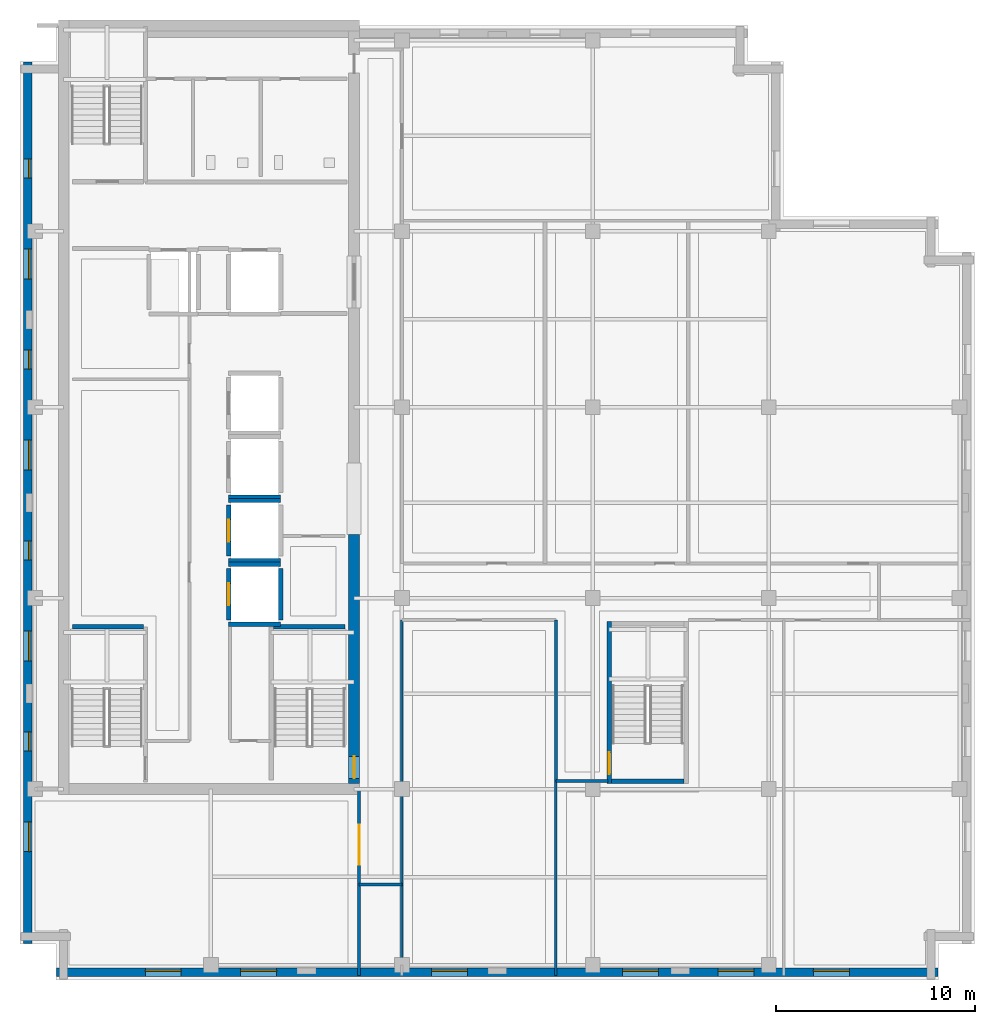
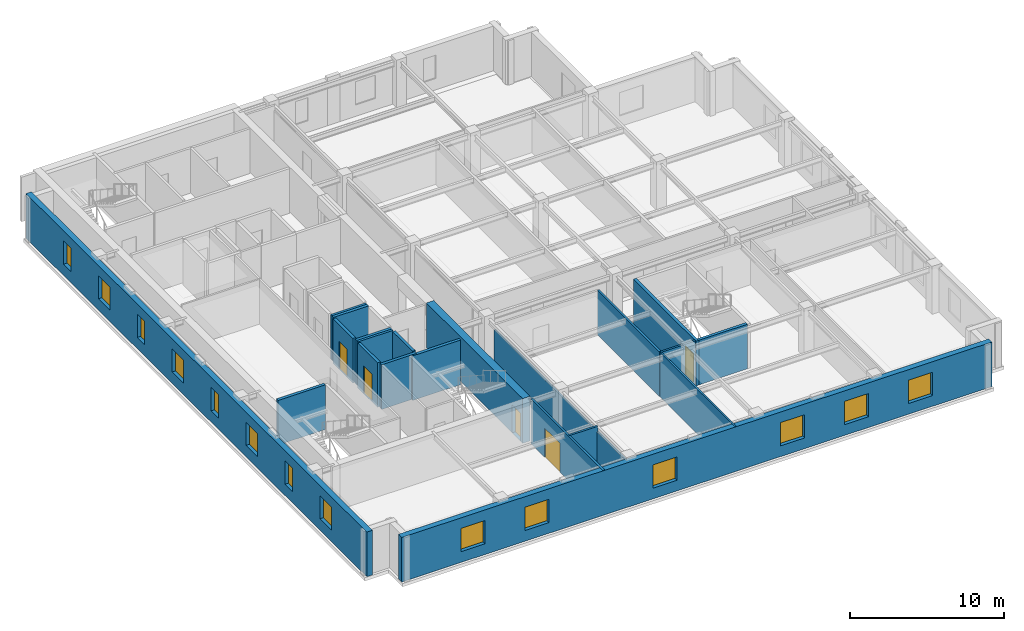
# One storey, part 3 of 10: 21 walls, 14 windows, 5 doors, 19 openings.
"""IFC4 building model written with IfcOpenShell, lengths in metres."""

from ifc_helpers import new_model, si_unit, direction, frame, frame_2d, origin, place, context, subcontext, project, spatial, rectangle, extrude, material, layer, layer_set, type_object, element, fill, save


model = new_model("IFC4")

# Units and contexts
model_context = context("Model", 3, precision=1e-05, world=origin(), true_north=direction((0.0, 1.0)))
body_context = subcontext(model_context, "Body", "Model", "MODEL_VIEW")
ifc_project = project(units=[si_unit("LENGTHUNIT", "METRE"), si_unit("AREAUNIT", "SQUARE_METRE"), si_unit("VOLUMEUNIT", "CUBIC_METRE"), si_unit("PLANEANGLEUNIT", "RADIAN"), si_unit("MASSUNIT", "GRAM", prefix="KILO")], contexts=[model_context])

# Site, building, storey
site_placement = place(None, origin())
site = spatial("IfcSite", under=ifc_project, at=site_placement, CompositionType="ELEMENT")
building_placement = place(site_placement, origin())
building = spatial("IfcBuilding", under=site, at=building_placement, Name="Norrvale University Quadrangle", CompositionType="ELEMENT")
storey_placement = place(building_placement, frame((0.0, 0.0, 265.800048828125)))
storey = spatial("IfcBuildingStorey", under=building, at=storey_placement, Name="L67", CompositionType="ELEMENT", Elevation=265.800048828125)

# Wall, openings, windows
ifc_material_1 = material(Name="Buff Norman Clay Brick Masonry", Category="masonry")
ifc_layer_1 = layer(ifc_material_1, 0.419921875, Name="Buff Norman Clay Brick Masonry")
ifc_layer_set_1 = layer_set([ifc_layer_1], Name="Buff Norman Clay Brick Masonry")
wall_type_1 = type_object("IfcWallType", Name="Wall Buff Brick 420", PredefinedType="SOLIDWALL", material=ifc_layer_set_1)
wall_1_placement = place(storey_placement, frame((1.840087890625, 0.389892578125, 0.0), z_axis=(0.0, 0.0, 1.0), x_axis=(1.0, 0.0, 0.0)))
wall_1 = element("IfcWall", 1, at=wall_1_placement, inside=storey, type_object=wall_type_1, Name="Exterior Brick Facade Wall L67-01.1", PredefinedType="SOLIDWALL", context=body_context, shape_type="SweptSolid", body=[
    extrude(rectangle(XDim=44.31982421875, YDim=0.419921875, at=frame_2d((22.159912109375, 0.0))), origin(), (0.0, 0.0, 1.0), 3.5400390625),
])
opening_1_placement = place(wall_1_placement, frame((4.4599609375, 0.0, 0.85009765625)))
opening_1 = element("IfcOpeningElement", 2, at=opening_1_placement, cuts=wall_1, Name="Opening W01", PredefinedType="OPENING", context=body_context, shape_type="SweptSolid", body=[
    extrude(rectangle(XDim=1.800048828125, YDim=1.85009765625, at=frame_2d((0.89990234375, 0.925048828125))), frame((0.0, 0.221923828125, 0.0), z_axis=(0.0, -1.0, 0.0), x_axis=(1.0, 0.0, 0.0)), (0.0, 0.0, 1.0), 0.44384765625),
])
opening_2_placement = place(wall_1_placement, frame((9.260009765625, 0.0, 0.85009765625)))
opening_2 = element("IfcOpeningElement", 3, at=opening_2_placement, cuts=wall_1, Name="Opening W01", PredefinedType="OPENING", context=body_context, shape_type="SweptSolid", body=[
    extrude(rectangle(XDim=1.800048828125, YDim=1.85009765625, at=frame_2d((0.89990234375, 0.925048828125))), frame((0.0, 0.221923828125, 0.0), z_axis=(0.0, -1.0, 0.0), x_axis=(1.0, 0.0, 0.0)), (0.0, 0.0, 1.0), 0.44384765625),
])
opening_3_placement = place(wall_1_placement, frame((18.860107421875, 0.0, 0.85009765625)))
opening_3 = element("IfcOpeningElement", 4, at=opening_3_placement, cuts=wall_1, Name="Opening W01", PredefinedType="OPENING", context=body_context, shape_type="SweptSolid", body=[
    extrude(rectangle(XDim=1.800048828125, YDim=1.85009765625, at=frame_2d((0.89990234375, 0.925048828125))), frame((0.0, 0.221923828125, 0.0), z_axis=(0.0, -1.0, 0.0), x_axis=(1.0, 0.0, 0.0)), (0.0, 0.0, 1.0), 0.44384765625),
])
opening_4_placement = place(wall_1_placement, frame((28.4599609375, 0.0, 0.85009765625)))
opening_4 = element("IfcOpeningElement", 5, at=opening_4_placement, cuts=wall_1, Name="Opening W01", PredefinedType="OPENING", context=body_context, shape_type="SweptSolid", body=[
    extrude(rectangle(XDim=1.800048828125, YDim=1.85009765625, at=frame_2d((0.89990234375, 0.925048828125))), frame((0.0, 0.221923828125, 0.0), z_axis=(0.0, -1.0, 0.0), x_axis=(1.0, 0.0, 0.0)), (0.0, 0.0, 1.0), 0.44384765625),
])
opening_5_placement = place(wall_1_placement, frame((33.260009765625, 0.0, 0.85009765625)))
opening_5 = element("IfcOpeningElement", 6, at=opening_5_placement, cuts=wall_1, Name="Opening W01", PredefinedType="OPENING", context=body_context, shape_type="SweptSolid", body=[
    extrude(rectangle(XDim=1.800048828125, YDim=1.85009765625, at=frame_2d((0.89990234375, 0.925048828125))), frame((0.0, 0.221923828125, 0.0), z_axis=(0.0, -1.0, 0.0), x_axis=(1.0, 0.0, 0.0)), (0.0, 0.0, 1.0), 0.44384765625),
])
opening_6_placement = place(wall_1_placement, frame((38.06005859375, 0.0, 0.85009765625)))
opening_6 = element("IfcOpeningElement", 7, at=opening_6_placement, cuts=wall_1, Name="Opening W01", PredefinedType="OPENING", context=body_context, shape_type="SweptSolid", body=[
    extrude(rectangle(XDim=1.800048828125, YDim=1.85009765625, at=frame_2d((0.89990234375, 0.925048828125))), frame((0.0, 0.221923828125, 0.0), z_axis=(0.0, -1.0, 0.0), x_axis=(1.0, 0.0, 0.0)), (0.0, 0.0, 1.0), 0.44384765625),
])
ifc_material_2 = material(Name="Triple Low-E Argon Glazing", Category="glass")
window_type_1 = type_object("IfcWindowType", Name="Window Academic 1800x2300", PartitioningType="DOUBLE_PANEL_VERTICAL", PredefinedType="WINDOW", material=ifc_material_2)
window_1_placement = place(opening_1_placement, origin())
window_1 = element("IfcWindow", 8, at=window_1_placement, inside=storey, type_object=window_type_1, Name="Window Academic 1800x2300 WIN-L67-E01-1-01", OverallHeight=1.85009765625, OverallWidth=1.800048828125, PartitioningType="DOUBLE_PANEL_VERTICAL", PredefinedType="WINDOW", context=body_context, shape_type="SweptSolid", body=[
    extrude(rectangle(XDim=1.800048828125, YDim=1.85009765625, at=frame_2d((0.89990234375, 0.925048828125))), frame((0.0, 0.110107421875, 0.0), z_axis=(0.0, -1.0, 0.0), x_axis=(1.0, 0.0, 0.0)), (0.0, 0.0, 1.0), 0.06005859375),
])
fill(opening_1, window_1)
window_2_placement = place(opening_2_placement, origin())
window_2 = element("IfcWindow", 9, at=window_2_placement, inside=storey, type_object=window_type_1, Name="Window Academic 1800x2300 WIN-L67-E01-1-02", OverallHeight=1.85009765625, OverallWidth=1.800048828125, PartitioningType="DOUBLE_PANEL_VERTICAL", PredefinedType="WINDOW", context=body_context, shape_type="SweptSolid", body=[
    extrude(rectangle(XDim=1.800048828125, YDim=1.85009765625, at=frame_2d((0.89990234375, 0.925048828125))), frame((0.0, 0.110107421875, 0.0), z_axis=(0.0, -1.0, 0.0), x_axis=(1.0, 0.0, 0.0)), (0.0, 0.0, 1.0), 0.06005859375),
])
fill(opening_2, window_2)
window_3_placement = place(opening_3_placement, origin())
window_3 = element("IfcWindow", 10, at=window_3_placement, inside=storey, type_object=window_type_1, Name="Window Academic 1800x2300 WIN-L67-E01-1-03", OverallHeight=1.85009765625, OverallWidth=1.800048828125, PartitioningType="DOUBLE_PANEL_VERTICAL", PredefinedType="WINDOW", context=body_context, shape_type="SweptSolid", body=[
    extrude(rectangle(XDim=1.800048828125, YDim=1.85009765625, at=frame_2d((0.89990234375, 0.925048828125))), frame((0.0, 0.110107421875, 0.0), z_axis=(0.0, -1.0, 0.0), x_axis=(1.0, 0.0, 0.0)), (0.0, 0.0, 1.0), 0.06005859375),
])
fill(opening_3, window_3)
window_4_placement = place(opening_4_placement, origin())
window_4 = element("IfcWindow", 11, at=window_4_placement, inside=storey, type_object=window_type_1, Name="Window Academic 1800x2300 WIN-L67-E01-1-04", OverallHeight=1.85009765625, OverallWidth=1.800048828125, PartitioningType="DOUBLE_PANEL_VERTICAL", PredefinedType="WINDOW", context=body_context, shape_type="SweptSolid", body=[
    extrude(rectangle(XDim=1.800048828125, YDim=1.85009765625, at=frame_2d((0.89990234375, 0.925048828125))), frame((0.0, 0.110107421875, 0.0), z_axis=(0.0, -1.0, 0.0), x_axis=(1.0, 0.0, 0.0)), (0.0, 0.0, 1.0), 0.06005859375),
])
fill(opening_4, window_4)
window_5_placement = place(opening_5_placement, origin())
window_5 = element("IfcWindow", 12, at=window_5_placement, inside=storey, type_object=window_type_1, Name="Window Academic 1800x2300 WIN-L67-E01-1-05", OverallHeight=1.85009765625, OverallWidth=1.800048828125, PartitioningType="DOUBLE_PANEL_VERTICAL", PredefinedType="WINDOW", context=body_context, shape_type="SweptSolid", body=[
    extrude(rectangle(XDim=1.800048828125, YDim=1.85009765625, at=frame_2d((0.89990234375, 0.925048828125))), frame((0.0, 0.110107421875, 0.0), z_axis=(0.0, -1.0, 0.0), x_axis=(1.0, 0.0, 0.0)), (0.0, 0.0, 1.0), 0.06005859375),
])
fill(opening_5, window_5)
window_6_placement = place(opening_6_placement, origin())
window_6 = element("IfcWindow", 13, at=window_6_placement, inside=storey, type_object=window_type_1, Name="Window Academic 1800x2300 WIN-L67-E01-1-06", OverallHeight=1.85009765625, OverallWidth=1.800048828125, PartitioningType="DOUBLE_PANEL_VERTICAL", PredefinedType="WINDOW", context=body_context, shape_type="SweptSolid", body=[
    extrude(rectangle(XDim=1.800048828125, YDim=1.85009765625, at=frame_2d((0.89990234375, 0.925048828125))), frame((0.0, 0.110107421875, 0.0), z_axis=(0.0, -1.0, 0.0), x_axis=(1.0, 0.0, 0.0)), (0.0, 0.0, 1.0), 0.06005859375),
])
fill(opening_6, window_6)

wall_2_placement = place(storey_placement, frame((0.389892578125, 46.159912109375, 0.0), z_axis=(0.0, 0.0, 1.0), x_axis=(0.0, -1.0, 0.0)))
wall_2 = element("IfcWall", 14, at=wall_2_placement, inside=storey, type_object=wall_type_1, Name="Exterior Brick Facade Wall L67-14.1", PredefinedType="SOLIDWALL", context=body_context, shape_type="SweptSolid", body=[
    extrude(rectangle(XDim=44.31982421875, YDim=0.419921875, at=frame_2d((22.159912109375, 0.0))), origin(), (0.0, 0.0, 1.0), 3.5400390625),
])
opening_7_placement = place(wall_2_placement, frame((4.885009765625, 0.0, 0.89990234375)))
opening_7 = element("IfcOpeningElement", 15, at=opening_7_placement, cuts=wall_2, Name="Opening W04", PredefinedType="OPENING", context=body_context, shape_type="SweptSolid", body=[
    extrude(rectangle(XDim=0.949951171875, YDim=1.85009765625, at=frame_2d((0.47509765625, 0.925048828125))), frame((0.0, 0.221923828125, 0.0), z_axis=(0.0, -1.0, 0.0), x_axis=(1.0, 0.0, 0.0)), (0.0, 0.0, 1.0), 0.44384765625),
])
opening_8_placement = place(wall_2_placement, frame((9.409912109375, 0.0, 0.89990234375)))
opening_8 = element("IfcOpeningElement", 16, at=opening_8_placement, cuts=wall_2, Name="Opening W03", PredefinedType="OPENING", context=body_context, shape_type="SweptSolid", body=[
    extrude(rectangle(XDim=1.5, YDim=1.85009765625, at=frame_2d((0.75, 0.925048828125))), frame((0.0, 0.221923828125, 0.0), z_axis=(0.0, -1.0, 0.0), x_axis=(1.0, 0.0, 0.0)), (0.0, 0.0, 1.0), 0.44384765625),
])
opening_9_placement = place(wall_2_placement, frame((14.485107421875, 0.0, 0.89990234375)))
opening_9 = element("IfcOpeningElement", 17, at=opening_9_placement, cuts=wall_2, Name="Opening W04", PredefinedType="OPENING", context=body_context, shape_type="SweptSolid", body=[
    extrude(rectangle(XDim=0.949951171875, YDim=1.85009765625, at=frame_2d((0.47509765625, 0.925048828125))), frame((0.0, 0.221923828125, 0.0), z_axis=(0.0, -1.0, 0.0), x_axis=(1.0, 0.0, 0.0)), (0.0, 0.0, 1.0), 0.44384765625),
])
opening_10_placement = place(wall_2_placement, frame((19.010009765625, 0.0, 0.89990234375)))
opening_10 = element("IfcOpeningElement", 18, at=opening_10_placement, cuts=wall_2, Name="Opening W03", PredefinedType="OPENING", context=body_context, shape_type="SweptSolid", body=[
    extrude(rectangle(XDim=1.5, YDim=1.85009765625, at=frame_2d((0.75, 0.925048828125))), frame((0.0, 0.221923828125, 0.0), z_axis=(0.0, -1.0, 0.0), x_axis=(1.0, 0.0, 0.0)), (0.0, 0.0, 1.0), 0.44384765625),
])
opening_11_placement = place(wall_2_placement, frame((24.0849609375, 0.0, 0.89990234375)))
opening_11 = element("IfcOpeningElement", 19, at=opening_11_placement, cuts=wall_2, Name="Opening W04", PredefinedType="OPENING", context=body_context, shape_type="SweptSolid", body=[
    extrude(rectangle(XDim=0.949951171875, YDim=1.85009765625, at=frame_2d((0.47509765625, 0.925048828125))), frame((0.0, 0.221923828125, 0.0), z_axis=(0.0, -1.0, 0.0), x_axis=(1.0, 0.0, 0.0)), (0.0, 0.0, 1.0), 0.44384765625),
])
opening_12_placement = place(wall_2_placement, frame((28.610107421875, 0.0, 0.89990234375)))
opening_12 = element("IfcOpeningElement", 20, at=opening_12_placement, cuts=wall_2, Name="Opening W03", PredefinedType="OPENING", context=body_context, shape_type="SweptSolid", body=[
    extrude(rectangle(XDim=1.5, YDim=1.85009765625, at=frame_2d((0.75, 0.925048828125))), frame((0.0, 0.221923828125, 0.0), z_axis=(0.0, -1.0, 0.0), x_axis=(1.0, 0.0, 0.0)), (0.0, 0.0, 1.0), 0.44384765625),
])
opening_13_placement = place(wall_2_placement, frame((33.68505859375, 0.0, 0.89990234375)))
opening_13 = element("IfcOpeningElement", 21, at=opening_13_placement, cuts=wall_2, Name="Opening W04", PredefinedType="OPENING", context=body_context, shape_type="SweptSolid", body=[
    extrude(rectangle(XDim=0.949951171875, YDim=1.85009765625, at=frame_2d((0.47509765625, 0.925048828125))), frame((0.0, 0.221923828125, 0.0), z_axis=(0.0, -1.0, 0.0), x_axis=(1.0, 0.0, 0.0)), (0.0, 0.0, 1.0), 0.44384765625),
])
opening_14_placement = place(wall_2_placement, frame((38.2099609375, 0.0, 0.89990234375)))
opening_14 = element("IfcOpeningElement", 22, at=opening_14_placement, cuts=wall_2, Name="Opening W03", PredefinedType="OPENING", context=body_context, shape_type="SweptSolid", body=[
    extrude(rectangle(XDim=1.5, YDim=1.85009765625, at=frame_2d((0.75, 0.925048828125))), frame((0.0, 0.221923828125, 0.0), z_axis=(0.0, -1.0, 0.0), x_axis=(1.0, 0.0, 0.0)), (0.0, 0.0, 1.0), 0.44384765625),
])
window_type_2 = type_object("IfcWindowType", Name="Window Narrow Pier 950x2300", PartitioningType="SINGLE_PANEL", PredefinedType="WINDOW", material=ifc_material_2)
window_7_placement = place(opening_7_placement, origin())
window_7 = element("IfcWindow", 23, at=window_7_placement, inside=storey, type_object=window_type_2, Name="Window Narrow Pier 950x2300 WIN-L67-E14-1-01", OverallHeight=1.85009765625, OverallWidth=0.949951171875, PartitioningType="SINGLE_PANEL", PredefinedType="WINDOW", context=body_context, shape_type="SweptSolid", body=[
    extrude(rectangle(XDim=0.949951171875, YDim=1.85009765625, at=frame_2d((0.47509765625, 0.925048828125))), frame((0.0, 0.110107421875, 0.0), z_axis=(0.0, -1.0, 0.0), x_axis=(1.0, 0.0, 0.0)), (0.0, 0.0, 1.0), 0.06005859375),
])
fill(opening_7, window_7)
window_8_placement = place(opening_9_placement, origin())
window_8 = element("IfcWindow", 24, at=window_8_placement, inside=storey, type_object=window_type_2, Name="Window Narrow Pier 950x2300 WIN-L67-E14-1-03", OverallHeight=1.85009765625, OverallWidth=0.949951171875, PartitioningType="SINGLE_PANEL", PredefinedType="WINDOW", context=body_context, shape_type="SweptSolid", body=[
    extrude(rectangle(XDim=0.949951171875, YDim=1.85009765625, at=frame_2d((0.47509765625, 0.925048828125))), frame((0.0, 0.110107421875, 0.0), z_axis=(0.0, -1.0, 0.0), x_axis=(1.0, 0.0, 0.0)), (0.0, 0.0, 1.0), 0.06005859375),
])
fill(opening_9, window_8)
window_9_placement = place(opening_11_placement, origin())
window_9 = element("IfcWindow", 25, at=window_9_placement, inside=storey, type_object=window_type_2, Name="Window Narrow Pier 950x2300 WIN-L67-E14-1-05", OverallHeight=1.85009765625, OverallWidth=0.949951171875, PartitioningType="SINGLE_PANEL", PredefinedType="WINDOW", context=body_context, shape_type="SweptSolid", body=[
    extrude(rectangle(XDim=0.949951171875, YDim=1.85009765625, at=frame_2d((0.47509765625, 0.925048828125))), frame((0.0, 0.110107421875, 0.0), z_axis=(0.0, -1.0, 0.0), x_axis=(1.0, 0.0, 0.0)), (0.0, 0.0, 1.0), 0.06005859375),
])
fill(opening_11, window_9)
window_10_placement = place(opening_13_placement, origin())
window_10 = element("IfcWindow", 26, at=window_10_placement, inside=storey, type_object=window_type_2, Name="Window Narrow Pier 950x2300 WIN-L67-E14-1-07", OverallHeight=1.85009765625, OverallWidth=0.949951171875, PartitioningType="SINGLE_PANEL", PredefinedType="WINDOW", context=body_context, shape_type="SweptSolid", body=[
    extrude(rectangle(XDim=0.949951171875, YDim=1.85009765625, at=frame_2d((0.47509765625, 0.925048828125))), frame((0.0, 0.110107421875, 0.0), z_axis=(0.0, -1.0, 0.0), x_axis=(1.0, 0.0, 0.0)), (0.0, 0.0, 1.0), 0.06005859375),
])
fill(opening_13, window_10)
window_type_3 = type_object("IfcWindowType", Name="Window Studio 1500x2300", PartitioningType="DOUBLE_PANEL_VERTICAL", PredefinedType="WINDOW", material=ifc_material_2)
window_11_placement = place(opening_8_placement, origin())
window_11 = element("IfcWindow", 27, at=window_11_placement, inside=storey, type_object=window_type_3, Name="Window Studio 1500x2300 WIN-L67-E14-1-02", OverallHeight=1.85009765625, OverallWidth=1.5, PartitioningType="DOUBLE_PANEL_VERTICAL", PredefinedType="WINDOW", context=body_context, shape_type="SweptSolid", body=[
    extrude(rectangle(XDim=1.5, YDim=1.85009765625, at=frame_2d((0.75, 0.925048828125))), frame((0.0, 0.110107421875, 0.0), z_axis=(0.0, -1.0, 0.0), x_axis=(1.0, 0.0, 0.0)), (0.0, 0.0, 1.0), 0.06005859375),
])
fill(opening_8, window_11)
window_12_placement = place(opening_10_placement, origin())
window_12 = element("IfcWindow", 28, at=window_12_placement, inside=storey, type_object=window_type_3, Name="Window Studio 1500x2300 WIN-L67-E14-1-04", OverallHeight=1.85009765625, OverallWidth=1.5, PartitioningType="DOUBLE_PANEL_VERTICAL", PredefinedType="WINDOW", context=body_context, shape_type="SweptSolid", body=[
    extrude(rectangle(XDim=1.5, YDim=1.85009765625, at=frame_2d((0.75, 0.925048828125))), frame((0.0, 0.110107421875, 0.0), z_axis=(0.0, -1.0, 0.0), x_axis=(1.0, 0.0, 0.0)), (0.0, 0.0, 1.0), 0.06005859375),
])
fill(opening_10, window_12)
window_13_placement = place(opening_12_placement, origin())
window_13 = element("IfcWindow", 29, at=window_13_placement, inside=storey, type_object=window_type_3, Name="Window Studio 1500x2300 WIN-L67-E14-1-06", OverallHeight=1.85009765625, OverallWidth=1.5, PartitioningType="DOUBLE_PANEL_VERTICAL", PredefinedType="WINDOW", context=body_context, shape_type="SweptSolid", body=[
    extrude(rectangle(XDim=1.5, YDim=1.85009765625, at=frame_2d((0.75, 0.925048828125))), frame((0.0, 0.110107421875, 0.0), z_axis=(0.0, -1.0, 0.0), x_axis=(1.0, 0.0, 0.0)), (0.0, 0.0, 1.0), 0.06005859375),
])
fill(opening_12, window_13)
window_14_placement = place(opening_14_placement, origin())
window_14 = element("IfcWindow", 30, at=window_14_placement, inside=storey, type_object=window_type_3, Name="Window Studio 1500x2300 WIN-L67-E14-1-08", OverallHeight=1.85009765625, OverallWidth=1.5, PartitioningType="DOUBLE_PANEL_VERTICAL", PredefinedType="WINDOW", context=body_context, shape_type="SweptSolid", body=[
    extrude(rectangle(XDim=1.5, YDim=1.85009765625, at=frame_2d((0.75, 0.925048828125))), frame((0.0, 0.110107421875, 0.0), z_axis=(0.0, -1.0, 0.0), x_axis=(1.0, 0.0, 0.0)), (0.0, 0.0, 1.0), 0.06005859375),
])
fill(opening_14, window_14)

# Wall, opening, door
ifc_material_3 = material(Name="Concrete C60/75", Category="concrete")
ifc_layer_2 = layer(ifc_material_3, 0.550048828125, Name="Concrete C60/75")
ifc_layer_set_2 = layer_set([ifc_layer_2], Name="Concrete C60/75")
wall_type_2 = type_object("IfcWallType", Name="Wall Core 550", PredefinedType="SHEAR", material=ifc_layer_set_2)
wall_3_placement = place(storey_placement, frame((16.800048828125, 9.875, 0.0), z_axis=(0.0, 0.0, 1.0), x_axis=(0.0, 1.0, 0.0)))
wall_3 = element("IfcWall", 31, at=wall_3_placement, inside=storey, type_object=wall_type_2, Name="Tower Core Shear Wall L67-E1", PredefinedType="SHEAR", context=body_context, shape_type="SweptSolid", body=[
    extrude(rectangle(XDim=12.52490234375, YDim=0.550048828125, at=frame_2d((6.262451171875, 0.0))), origin(), (0.0, 0.0, 1.0), 3.5400390625),
])
opening_15_placement = place(wall_3_placement, frame((0.264892578125, 0.0, 0.0)))
opening_15 = element("IfcOpeningElement", 32, at=opening_15_placement, cuts=wall_3, Name="Opening D02", PredefinedType="OPENING", context=body_context, shape_type="SweptSolid", body=[
    extrude(rectangle(XDim=1.10009765625, YDim=2.199951171875, at=frame_2d((0.550048828125, 1.10009765625))), frame((0.0, 0.287109375, 0.0), z_axis=(0.0, -1.0, 0.0), x_axis=(1.0, 0.0, 0.0)), (0.0, 0.0, 1.0), 0.573974609375),
])
ifc_material_4 = material(Name="Hollow Steel 350W Fire Door", Category="steel")
door_type_1 = type_object("IfcDoorType", Name="Door Stair Exit 1100x2200", OperationType="NOTDEFINED", PredefinedType="DOOR", material=ifc_material_4)
door_1_placement = place(opening_15_placement, origin())
door_1 = element("IfcDoor", 33, at=door_1_placement, inside=storey, type_object=door_type_1, Name="Door Stair Exit 1100x2200 DR-L67-ST03", OperationType="SINGLE_SWING_LEFT", OverallHeight=2.199951171875, OverallWidth=1.10009765625, PredefinedType="DOOR", context=body_context, shape_type="SweptSolid", body=[
    extrude(rectangle(XDim=1.10009765625, YDim=2.199951171875, at=frame_2d((0.550048828125, 1.10009765625))), frame((0.0, 0.02490234375, 0.0), z_axis=(0.0, -1.0, 0.0), x_axis=(1.0, 0.0, 0.0)), (0.0, 0.0, 1.0), 0.050048828125),
])
fill(opening_15, door_1)

# Walls
ifc_material_5 = material(Name="Standard Academic Gypsum Partition")
ifc_layer_3 = layer(ifc_material_5, 0.125, Name="Standard Academic Gypsum Partition")
ifc_layer_set_3 = layer_set([ifc_layer_3], Name="Standard Academic Gypsum Partition")
wall_type_3 = type_object("IfcWallType", Name="Wall Gypsum Academic 125", PredefinedType="PARTITIONING", material=ifc_layer_set_3)
wall_4_placement = place(storey_placement, frame((19.199951171875, 0.75, 0.0), z_axis=(0.0, 0.0, 1.0), x_axis=(0.0, 1.0, 0.0)))
element("IfcWall", 34, at=wall_4_placement, inside=storey, type_object=wall_type_3, Name="Interior Partition WL-L67-SE-W0-B2", PredefinedType="PARTITIONING", context=body_context, shape_type="SweptSolid", body=[
    extrude(rectangle(XDim=17.35009765625, YDim=0.125, at=frame_2d((8.675048828125, 0.0))), origin(), (0.0, 0.0, 1.0), 3.123046875),
])
wall_5_placement = place(storey_placement, frame((26.949951171875, 0.219970703125, 0.0), z_axis=(0.0, 0.0, 1.0), x_axis=(0.0, 1.0, 0.0)))
element("IfcWall", 35, at=wall_5_placement, inside=storey, type_object=wall_type_3, Name="Interior Partition WL-L67-SEP1A", PredefinedType="PARTITIONING", context=body_context, shape_type="SweptSolid", body=[
    extrude(rectangle(XDim=9.780029296875, YDim=0.125, at=frame_2d((4.89013671875, 0.0))), origin(), (0.0, 0.0, 1.0), 3.5400390625),
])
ifc_material_6 = material(Name="Fire-Rated Gypsum Stud Partition")
ifc_layer_4 = layer(ifc_material_6, 0.14990234375, Name="Fire-Rated Gypsum Stud Partition")
ifc_layer_set_4 = layer_set([ifc_layer_4], Name="Fire-Rated Gypsum Stud Partition")
wall_type_4 = type_object("IfcWallType", Name="Wall Gypsum Corridor 150", PredefinedType="PARTITIONING", material=ifc_layer_set_4)
wall_6_placement = place(storey_placement, frame((17.050048828125, 4.800048828125, 0.0), z_axis=(0.0, 0.0, 1.0), x_axis=(1.0, 0.0, 0.0)))
element("IfcWall", 36, at=wall_6_placement, inside=storey, type_object=wall_type_4, Name="Interior Partition WL-L67-CSP-S", PredefinedType="PARTITIONING", context=body_context, shape_type="SweptSolid", body=[
    extrude(rectangle(XDim=2.14990234375, YDim=0.14990234375, at=frame_2d((1.074951171875, 0.0))), origin(), (0.0, 0.0, 1.0), 3.5400390625),
])

# Wall, opening, door
wall_7_placement = place(storey_placement, frame((17.050048828125, 0.219970703125, 0.0), z_axis=(0.0, 0.0, 1.0), x_axis=(0.0, 1.0, 0.0)))
wall_7 = element("IfcWall", 37, at=wall_7_placement, inside=storey, type_object=wall_type_4, Name="Interior Partition WL-L67-SW-E", PredefinedType="PARTITIONING", context=body_context, shape_type="SweptSolid", body=[
    extrude(rectangle(XDim=9.380126953125, YDim=0.14990234375, at=frame_2d((4.68994140625, 0.0))), origin(), (0.0, 0.0, 1.0), 3.5400390625),
])
opening_16_placement = place(wall_7_placement, frame((5.580078125, 0.0, 0.0)))
opening_16 = element("IfcOpeningElement", 38, at=opening_16_placement, cuts=wall_7, Name="Opening D06", PredefinedType="OPENING", context=body_context, shape_type="SweptSolid", body=[
    extrude(rectangle(XDim=2.0, YDim=2.300048828125, at=frame_2d((1.0, 1.14990234375))), frame((0.0, 0.0869140625, 0.0), z_axis=(0.0, -1.0, 0.0), x_axis=(1.0, 0.0, 0.0)), (0.0, 0.0, 1.0), 0.173828125),
])
ifc_material_7 = material(Name="Acoustic Oak Double Door", Category="wood")
door_type_2 = type_object("IfcDoorType", Name="Door Lecture Dbl 2000x2300", OperationType="DOUBLE_SWING_LEFT", PredefinedType="DOOR", material=ifc_material_7)
door_2_placement = place(opening_16_placement, origin())
door_2 = element("IfcDoor", 39, at=door_2_placement, inside=storey, type_object=door_type_2, Name="Door Lecture Dbl 2000x2300 DR-L67-SW1", OperationType="DOUBLE_SWING_LEFT", OverallHeight=2.300048828125, OverallWidth=2.0, PredefinedType="DOOR", context=body_context, shape_type="SweptSolid", body=[
    extrude(rectangle(XDim=2.0, YDim=2.300048828125, at=frame_2d((1.0, 1.14990234375))), frame((0.0, 0.02490234375, 0.0), z_axis=(0.0, -1.0, 0.0), x_axis=(1.0, 0.0, 0.0)), (0.0, 0.0, 1.0), 0.050048828125),
])
fill(opening_16, door_2)

# Walls
wall_8_placement = place(storey_placement, frame((26.949951171875, 10.0, 0.0), z_axis=(0.0, 0.0, 1.0), x_axis=(0.0, 1.0, 0.0)))
element("IfcWall", 40, at=wall_8_placement, inside=storey, type_object=wall_type_4, Name="Interior Partition WL-L67-SEP1B", PredefinedType="PARTITIONING", context=body_context, shape_type="SweptSolid", body=[
    extrude(rectangle(XDim=8.10009765625, YDim=0.14990234375, at=frame_2d((4.050048828125, 0.0))), origin(), (0.0, 0.0, 1.0), 3.5400390625),
])
wall_9_placement = place(storey_placement, frame((26.949951171875, 10.0, 0.0), z_axis=(0.0, 0.0, 1.0), x_axis=(1.0, 0.0, 0.0)))
element("IfcWall", 41, at=wall_9_placement, inside=storey, type_object=wall_type_4, Name="Interior Partition WL-L67-SEP1C", PredefinedType="PARTITIONING", context=body_context, shape_type="SweptSolid", body=[
    extrude(rectangle(XDim=2.630126953125, YDim=0.14990234375, at=frame_2d((1.31494140625, 0.0))), origin(), (0.0, 0.0, 1.0), 3.5400390625),
])
ifc_material_8 = material(Name="Concrete Blockwork 20 MPa Fire Shaft", Category="masonry")
ifc_layer_5 = layer(ifc_material_8, 0.219970703125, Name="Concrete Blockwork 20 MPa Fire Shaft")
ifc_layer_set_5 = layer_set([ifc_layer_5], Name="Concrete Blockwork 20 MPa Fire Shaft")
wall_type_5 = type_object("IfcWallType", Name="Wall Shaft 220", PredefinedType="SOLIDWALL", material=ifc_layer_set_5)
wall_10_placement = place(storey_placement, frame((2.64990234375, 17.760009765625, 0.0), z_axis=(0.0, 0.0, 1.0), x_axis=(1.0, 0.0, 0.0)))
element("IfcWall", 42, at=wall_10_placement, inside=storey, type_object=wall_type_5, Name="Stair ST-01 North Shaft Wall L67", PredefinedType="SOLIDWALL", context=body_context, shape_type="SweptSolid", body=[
    extrude(rectangle(XDim=3.550048828125, YDim=0.219970703125, at=frame_2d((1.77490234375, 0.0))), origin(), (0.0, 0.0, 1.0), 3.5400390625),
])
wall_11_placement = place(storey_placement, frame((12.75, 17.760009765625, 0.0), z_axis=(0.0, 0.0, 1.0), x_axis=(1.0, 0.0, 0.0)))
element("IfcWall", 43, at=wall_11_placement, inside=storey, type_object=wall_type_5, Name="Stair ST-03 North Shaft Wall L67", PredefinedType="SOLIDWALL", context=body_context, shape_type="SweptSolid", body=[
    extrude(rectangle(XDim=3.60009765625, YDim=0.219970703125, at=frame_2d((1.800048828125, 0.0))), origin(), (0.0, 0.0, 1.0), 3.5400390625),
])
wall_12_placement = place(storey_placement, frame((29.75, 9.989990234375, 0.0), z_axis=(0.0, 0.0, 1.0), x_axis=(1.0, 0.0, 0.0)))
element("IfcWall", 44, at=wall_12_placement, inside=storey, type_object=wall_type_5, Name="Stair ST-04 South Shaft Wall L67", PredefinedType="SOLIDWALL", context=body_context, shape_type="SweptSolid", body=[
    extrude(rectangle(XDim=3.64990234375, YDim=0.219970703125, at=frame_2d((1.824951171875, 0.0))), origin(), (0.0, 0.0, 1.0), 3.5400390625),
])

# Wall, opening, door
wall_13_placement = place(storey_placement, frame((29.639892578125, 9.8798828125, 0.0), z_axis=(0.0, 0.0, 1.0), x_axis=(0.0, 1.0, 0.0)))
wall_13 = element("IfcWall", 45, at=wall_13_placement, inside=storey, type_object=wall_type_5, Name="Stair ST-04 West Shaft Wall L67", PredefinedType="SOLIDWALL", context=body_context, shape_type="SweptSolid", body=[
    extrude(rectangle(XDim=8.14013671875, YDim=0.219970703125, at=frame_2d((4.070068359375, 0.0))), origin(), (0.0, 0.0, 1.0), 3.5400390625),
])
opening_17_placement = place(wall_13_placement, frame((0.469970703125, 0.0, 0.0)))
opening_17 = element("IfcOpeningElement", 46, at=opening_17_placement, cuts=wall_13, Name="Opening D02", PredefinedType="OPENING", context=body_context, shape_type="SweptSolid", body=[
    extrude(rectangle(XDim=1.10009765625, YDim=2.199951171875, at=frame_2d((0.550048828125, 1.10009765625))), frame((0.0, 0.1220703125, 0.0), z_axis=(0.0, -1.0, 0.0), x_axis=(1.0, 0.0, 0.0)), (0.0, 0.0, 1.0), 0.243896484375),
])
door_3_placement = place(opening_17_placement, frame((1.10009765625, 0.0, 0.0), z_axis=(0.0, 0.0, 1.0), x_axis=(-1.0, 0.0, 0.0)))
door_3 = element("IfcDoor", 47, at=door_3_placement, inside=storey, type_object=door_type_1, Name="Door Stair Exit 1100x2200 DR-L67-ST04", OperationType="SINGLE_SWING_RIGHT", OverallHeight=2.199951171875, OverallWidth=1.10009765625, PredefinedType="DOOR", context=body_context, shape_type="SweptSolid", body=[
    extrude(rectangle(XDim=1.10009765625, YDim=2.199951171875, at=frame_2d((0.550048828125, 1.10009765625))), frame((0.0, 0.02490234375, 0.0), z_axis=(0.0, -1.0, 0.0), x_axis=(1.0, 0.0, 0.0)), (0.0, 0.0, 1.0), 0.050048828125),
])
fill(opening_17, door_3)

wall_14_placement = place(storey_placement, frame((10.489990234375, 18.110107421875, 0.0), z_axis=(0.0, 0.0, 1.0), x_axis=(0.0, 1.0, 0.0)))
wall_14 = element("IfcWall", 48, at=wall_14_placement, inside=storey, type_object=wall_type_5, Name="Hoistway PL-05 West Wall L67", PredefinedType="SOLIDWALL", context=body_context, shape_type="SweptSolid", body=[
    extrude(rectangle(XDim=2.579833984375, YDim=0.219970703125, at=frame_2d((1.2900390625, 0.0))), origin(), (0.0, 0.0, 1.0), 3.5400390625),
])
opening_18_placement = place(wall_14_placement, frame((0.739990234375, 0.0, 0.0)))
opening_18 = element("IfcOpeningElement", 49, at=opening_18_placement, cuts=wall_14, Name="Opening LD1", PredefinedType="OPENING", context=body_context, shape_type="SweptSolid", body=[
    extrude(rectangle(XDim=1.10009765625, YDim=2.199951171875, at=frame_2d((0.550048828125, 1.10009765625))), frame((0.0, 0.1220703125, 0.0), z_axis=(0.0, -1.0, 0.0), x_axis=(1.0, 0.0, 0.0)), (0.0, 0.0, 1.0), 0.243896484375),
])
ifc_material_9 = material(Name="Stainless Steel 316L Lift Landing Door", Category="steel")
door_type_3 = type_object("IfcDoorType", Name="Door Lift Landing 1100x2200", OperationType="DOUBLE_DOOR_SLIDING", PredefinedType="DOOR", material=ifc_material_9)
door_4_placement = place(opening_18_placement, origin())
door_4 = element("IfcDoor", 50, at=door_4_placement, inside=storey, type_object=door_type_3, Name="Elevator Landing Door DR-L67-PL-05", OperationType="DOUBLE_DOOR_SLIDING", OverallHeight=2.199951171875, OverallWidth=1.10009765625, PredefinedType="DOOR", context=body_context, shape_type="SweptSolid", body=[
    extrude(rectangle(XDim=1.10009765625, YDim=2.199951171875, at=frame_2d((0.550048828125, 1.10009765625))), frame((0.0, 0.02490234375, 0.0), z_axis=(0.0, -1.0, 0.0), x_axis=(1.0, 0.0, 0.0)), (0.0, 0.0, 1.0), 0.050048828125),
])
fill(opening_18, door_4)

# Walls
wall_15_placement = place(storey_placement, frame((13.110107421875, 18.110107421875, 0.0), z_axis=(0.0, 0.0, 1.0), x_axis=(0.0, 1.0, 0.0)))
element("IfcWall", 51, at=wall_15_placement, inside=storey, type_object=wall_type_5, Name="Hoistway PL-05 East Wall L67", PredefinedType="SOLIDWALL", context=body_context, shape_type="SweptSolid", body=[
    extrude(rectangle(XDim=2.579833984375, YDim=0.219970703125, at=frame_2d((1.2900390625, 0.0))), origin(), (0.0, 0.0, 1.0), 3.5400390625),
])
for number, where, z_axis, x_axis, name in (
    (52, (10.489990234375, 17.889892578125, 0.0), (0.0, 0.0, 1.0), (1.0, 0.0, 0.0), "Hoistway PL-05 South Wall L67"),
    (53, (10.489990234375, 20.909912109375, 0.0), (0.0, 0.0, 1.0), (1.0, 0.0, 0.0), "Hoistway PL-05 North Wall L67"),
):
    element("IfcWall", number, at=place(storey_placement, frame(where, z_axis=z_axis, x_axis=x_axis)), inside=storey, type_object=wall_type_5, Name=name, PredefinedType="SOLIDWALL", context=body_context, shape_type="SweptSolid", body=[
        extrude(rectangle(XDim=2.6201171875, YDim=0.219970703125, at=frame_2d((1.31005859375, 0.0))), origin(), (0.0, 0.0, 1.0), 3.5400390625),
    ])

# Wall, opening, door
wall_16_placement = place(storey_placement, frame((10.489990234375, 21.31005859375, 0.0), z_axis=(0.0, 0.0, 1.0), x_axis=(0.0, 1.0, 0.0)))
wall_16 = element("IfcWall", 54, at=wall_16_placement, inside=storey, type_object=wall_type_5, Name="Hoistway PL-06 West Wall L67", PredefinedType="SOLIDWALL", context=body_context, shape_type="SweptSolid", body=[
    extrude(rectangle(XDim=2.579833984375, YDim=0.219970703125, at=frame_2d((1.2900390625, 0.0))), origin(), (0.0, 0.0, 1.0), 3.5400390625),
])
opening_19_placement = place(wall_16_placement, frame((0.739990234375, 0.0, 0.0)))
opening_19 = element("IfcOpeningElement", 55, at=opening_19_placement, cuts=wall_16, Name="Opening LD1", PredefinedType="OPENING", context=body_context, shape_type="SweptSolid", body=[
    extrude(rectangle(XDim=1.10009765625, YDim=2.199951171875, at=frame_2d((0.550048828125, 1.10009765625))), frame((0.0, 0.1220703125, 0.0), z_axis=(0.0, -1.0, 0.0), x_axis=(1.0, 0.0, 0.0)), (0.0, 0.0, 1.0), 0.243896484375),
])
door_5_placement = place(opening_19_placement, origin())
door_5 = element("IfcDoor", 56, at=door_5_placement, inside=storey, type_object=door_type_3, Name="Elevator Landing Door DR-L67-PL-06", OperationType="DOUBLE_DOOR_SLIDING", OverallHeight=2.199951171875, OverallWidth=1.10009765625, PredefinedType="DOOR", context=body_context, shape_type="SweptSolid", body=[
    extrude(rectangle(XDim=1.10009765625, YDim=2.199951171875, at=frame_2d((0.550048828125, 1.10009765625))), frame((0.0, 0.02490234375, 0.0), z_axis=(0.0, -1.0, 0.0), x_axis=(1.0, 0.0, 0.0)), (0.0, 0.0, 1.0), 0.050048828125),
])
fill(opening_19, door_5)

# Walls
for number, where, z_axis, x_axis, name in (
    (57, (10.489990234375, 21.090087890625, 0.0), (0.0, 0.0, 1.0), (1.0, 0.0, 0.0), "Hoistway PL-06 South Wall L67"),
    (58, (10.489990234375, 24.110107421875, 0.0), (0.0, 0.0, 1.0), (1.0, 0.0, 0.0), "Hoistway PL-06 North Wall L67"),
    (59, (10.489990234375, 24.2900390625, 0.0), (0.0, 0.0, 1.0), (1.0, 0.0, 0.0), "Hoistway PL-07 South Wall L67"),
):
    element("IfcWall", number, at=place(storey_placement, frame(where, z_axis=z_axis, x_axis=x_axis)), inside=storey, type_object=wall_type_5, Name=name, PredefinedType="SOLIDWALL", context=body_context, shape_type="SweptSolid", body=[
        extrude(rectangle(XDim=2.6201171875, YDim=0.219970703125, at=frame_2d((1.31005859375, 0.0))), origin(), (0.0, 0.0, 1.0), 3.5400390625),
    ])

save(model, "model.ifc")
